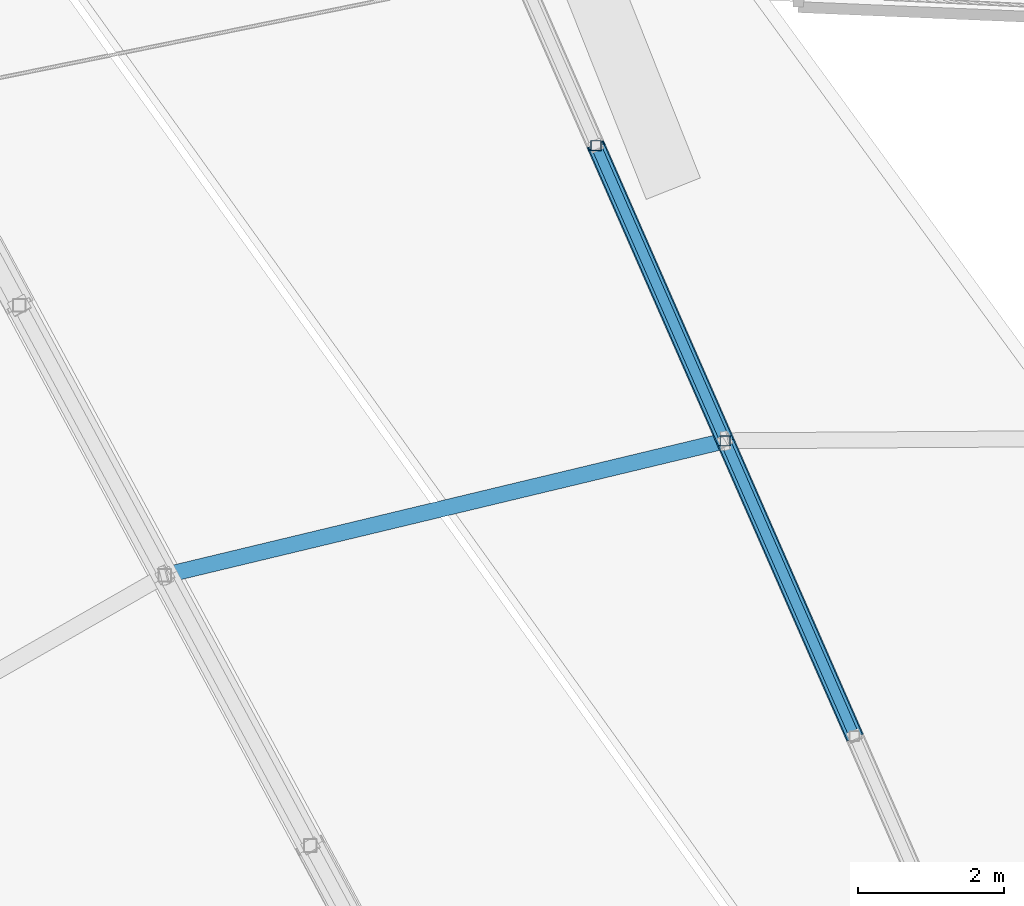
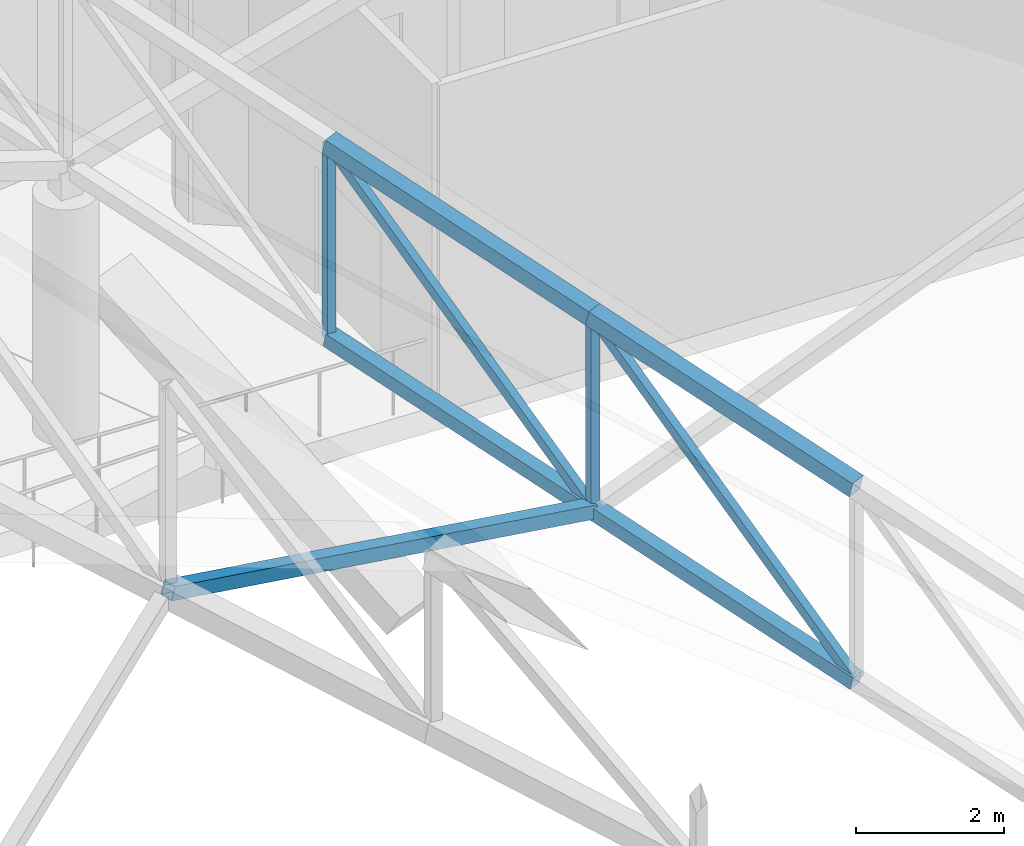
# One storey, part 147 of 344: 9 members.
"""IFC4 building model written with IfcOpenShell, lengths in metres."""

from ifc_helpers import new_model, si_unit, direction, frame, origin, origin_2d, place, context, subcontext, project, spatial, hollow_rectangle, extrude, material, material_profile, profile_set, type_object, element, save


model = new_model("IFC4")

# Units and contexts
model_context = context("Model", 3, precision=1e-05, world=origin(), true_north=direction((0.0, 1.0)))
body_context = subcontext(model_context, "Body", "Model", "MODEL_VIEW")
ifc_project = project(units=[si_unit("LENGTHUNIT", "METRE"), si_unit("AREAUNIT", "SQUARE_METRE"), si_unit("VOLUMEUNIT", "CUBIC_METRE"), si_unit("PLANEANGLEUNIT", "RADIAN"), si_unit("MASSUNIT", "GRAM", prefix="KILO")], contexts=[model_context])

# Site, building, storey
site_placement = place(None, origin())
site = spatial("IfcSite", under=ifc_project, at=site_placement, CompositionType="ELEMENT")
building_placement = place(site_placement, origin())
building = spatial("IfcBuilding", under=site, at=building_placement, Name="Meseta Stadium", CompositionType="ELEMENT")
storey_placement = place(building_placement, frame((0.0, 0.0, 24.0)))
storey = spatial("IfcBuildingStorey", under=building, at=storey_placement, Name="L04", CompositionType="ELEMENT", Elevation=24.0)

# Members
ifc_material_1 = material(Name="Steel S355", Category="steel")
ifc_material_profile_1 = material_profile(ifc_material_1, hollow_rectangle(XDim=0.139892578125, YDim=0.139892578125, WallThickness=0.0048828125, at=origin_2d()), Name="SHS 140x140x5")
ifc_profile_set_1 = profile_set([ifc_material_profile_1], Name="Steel S355")
member_type_1 = type_object("IfcMemberType", Name="SHS 140x140x5 diagonal", PredefinedType="BRACE", material=ifc_profile_set_1)
for number, where, z_axis, x_axis, name in (
    (1, (-29.205322265625, 77.744384765625, 1.341552734375), (-0.29092603047, 0.664716565012, 0.688123486732), (-0.916100374083, -0.400949004993, 0.0), "ROOF TRUSS RT-21 diagonal"),
    (2, (-30.98046875, 81.80029296875, 2.34033203125), (-0.290925757537, 0.664675929612, 0.688162852961), (-0.916091508523, -0.400969260683, 0.0), "ROOF TRUSS RT-21 diagonal"),
):
    element("IfcMember", number, at=place(storey_placement, frame(where, z_axis=z_axis, x_axis=x_axis)), inside=storey, type_object=member_type_1, Name=name, PredefinedType="BRACE", context=body_context, shape_type="SweptSolid", body=[
        extrude(hollow_rectangle(XDim=0.139892578125, YDim=0.139892578125, WallThickness=0.0048828125, at=origin_2d()), origin(), (0.0, 0.0, 1.0), 6.101806640625),
    ])
ifc_material_2 = material(Name="Steel S355", Category="steel")
ifc_material_profile_2 = material_profile(ifc_material_2, hollow_rectangle(XDim=0.139892578125, YDim=0.139892578125, WallThickness=0.0048828125, at=origin_2d()), Name="SHS 140x140x5")
ifc_profile_set_2 = profile_set([ifc_material_profile_2], Name="Steel S355")
member_type_2 = type_object("IfcMemberType", Name="SHS 140x140x5 post", PredefinedType="POST", material=ifc_profile_set_2)
for number, where, z_axis, x_axis, name in (
    (3, (-30.98046875, 81.80029296875, 2.34033203125), (0.0, 0.0, 1.0), (1.0, 0.0, 0.0), "ROOF TRUSS RT-21 post"),
    (4, (-32.755615234375, 85.85595703125, 3.33935546875), (0.0, 0.0, 1.0), (1.0, 0.0, 0.0), "ROOF TRUSS RT-21 post"),
):
    element("IfcMember", number, at=place(storey_placement, frame(where, z_axis=z_axis, x_axis=x_axis)), inside=storey, type_object=member_type_2, Name=name, PredefinedType="POST", context=body_context, shape_type="SweptSolid", body=[
        extrude(hollow_rectangle(XDim=0.139892578125, YDim=0.139892578125, WallThickness=0.0048828125, at=origin_2d()), origin(), (0.0, 0.0, 1.0), 3.199951171875),
    ])
ifc_material_3 = material(Name="Steel S355", Category="steel")
ifc_material_profile_3 = material_profile(ifc_material_3, hollow_rectangle(XDim=0.219970703125, YDim=0.219970703125, WallThickness=0.008056640625, at=origin_2d()), Name="SHS 220x220x8")
ifc_profile_set_3 = profile_set([ifc_material_profile_3], Name="Steel S355")
member_type_3 = type_object("IfcMemberType", Name="SHS 220x220x8 bottom chord", PredefinedType="CHORD", material=ifc_profile_set_3)
for number, where, z_axis, x_axis, name in (
    (5, (-29.205322265625, 77.744384765625, 1.341552734375), (-0.391120077987, 0.893642945345, 0.220062197641), (-0.916100374083, -0.400949004993, 0.0), "ROOF TRUSS RT-21 bottom chord"),
    (6, (-30.98046875, 81.80029296875, 2.34033203125), (-0.391134249123, 0.893621530248, 0.220123964711), (-0.916091508523, -0.400969260683, 0.0), "ROOF TRUSS RT-21 bottom chord"),
):
    element("IfcMember", number, at=place(storey_placement, frame(where, z_axis=z_axis, x_axis=x_axis)), inside=storey, type_object=member_type_3, Name=name, PredefinedType="CHORD", context=body_context, shape_type="SweptSolid", body=[
        extrude(hollow_rectangle(XDim=0.219970703125, YDim=0.219970703125, WallThickness=0.008056640625, at=origin_2d()), origin(), (0.0, 0.0, 1.0), 4.53857421875),
    ])
ifc_material_4 = material(Name="Steel S355", Category="steel")
ifc_material_profile_4 = material_profile(ifc_material_4, hollow_rectangle(XDim=0.219970703125, YDim=0.219970703125, WallThickness=0.008056640625, at=origin_2d()), Name="SHS 220x220x8")
ifc_profile_set_4 = profile_set([ifc_material_profile_4], Name="Steel S355")
member_type_4 = type_object("IfcMemberType", Name="SHS 220x220x8 strut", PredefinedType="STRUT", material=ifc_profile_set_4)
member_placement = place(storey_placement, frame((-30.98046875, 81.80029296875, 2.34033203125), z_axis=(-0.928687605096, -0.222847344298, 0.296442900539), x_axis=(0.233335646729, -0.972396254603, 0.0)))
element("IfcMember", 7, at=member_placement, inside=storey, type_object=member_type_4, Name="ROOF TRUSS STRUT RT-21/22", PredefinedType="STRUT", context=body_context, shape_type="SweptSolid", body=[
    extrude(hollow_rectangle(XDim=0.219970703125, YDim=0.219970703125, WallThickness=0.008056640625, at=origin_2d()), origin(), (0.0, 0.0, 1.0), 8.293212890625),
])
ifc_material_5 = material(Name="Steel S355", Category="steel")
ifc_material_profile_5 = material_profile(ifc_material_5, hollow_rectangle(XDim=0.25, YDim=0.25, WallThickness=0.010009765625, at=origin_2d()), Name="SHS 250x250x10")
ifc_profile_set_5 = profile_set([ifc_material_profile_5], Name="Steel S355")
member_type_5 = type_object("IfcMemberType", Name="SHS 250x250x10 top chord", PredefinedType="CHORD", material=ifc_profile_set_5)
for number, where, z_axis, x_axis, name in (
    (8, (-29.205322265625, 77.744384765625, 4.54150390625), (-0.391120077987, 0.893642945345, 0.220062197641), (-0.916100374083, -0.400949004993, 0.0), "ROOF TRUSS RT-21 top chord"),
    (9, (-30.98046875, 81.80029296875, 5.540283203125), (-0.391134249123, 0.893621530248, 0.220123964711), (-0.916091508523, -0.400969260683, 0.0), "ROOF TRUSS RT-21 top chord"),
):
    element("IfcMember", number, at=place(storey_placement, frame(where, z_axis=z_axis, x_axis=x_axis)), inside=storey, type_object=member_type_5, Name=name, PredefinedType="CHORD", context=body_context, shape_type="SweptSolid", body=[
        extrude(hollow_rectangle(XDim=0.25, YDim=0.25, WallThickness=0.010009765625, at=origin_2d()), origin(), (0.0, 0.0, 1.0), 4.53857421875),
    ])

save(model, "model.ifc")
